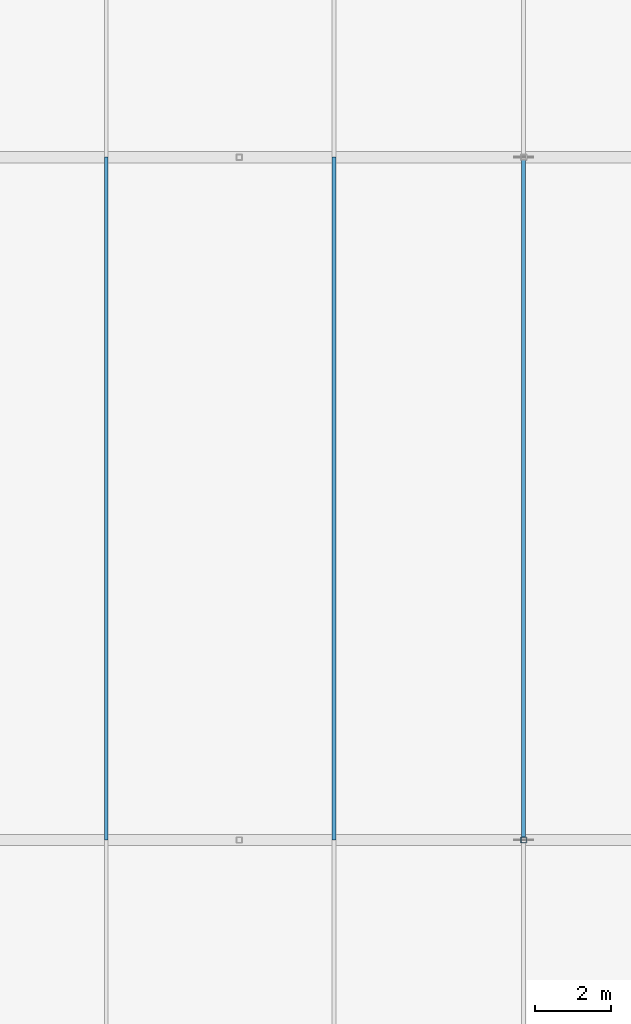
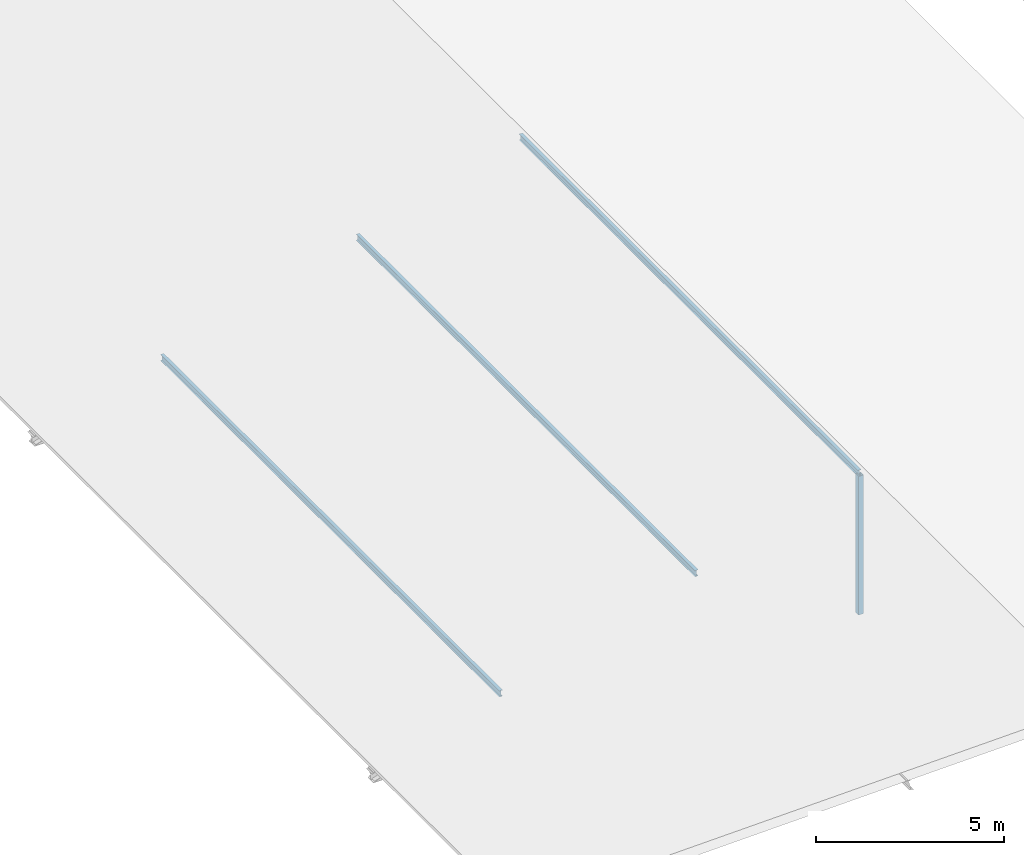
# One storey, part 59 of 204: 4 members.
"""IFC4 building model written with IfcOpenShell, lengths in metres."""

from ifc_helpers import new_model, si_unit, direction, frame, origin, origin_2d, place, context, subcontext, project, spatial, hollow_rectangle, i_section, extrude, material, material_profile, profile_set, type_object, element, save


model = new_model("IFC4")

# Units and contexts
model_context = context("Model", 3, precision=1e-05, world=origin(), true_north=direction((0.0, 1.0)))
body_context = subcontext(model_context, "Body", "Model", "MODEL_VIEW")
ifc_project = project(units=[si_unit("LENGTHUNIT", "METRE"), si_unit("AREAUNIT", "SQUARE_METRE"), si_unit("VOLUMEUNIT", "CUBIC_METRE"), si_unit("PLANEANGLEUNIT", "RADIAN"), si_unit("MASSUNIT", "GRAM", prefix="KILO")], contexts=[model_context])

# Site, building, storey
site_placement = place(None, origin())
site = spatial("IfcSite", under=ifc_project, at=site_placement, CompositionType="ELEMENT")
building_placement = place(site_placement, origin())
building = spatial("IfcBuilding", under=site, at=building_placement, Name="Zilviju Railside Exhibition Hall", CompositionType="ELEMENT")
storey_placement = place(building_placement, frame((0.0, 0.0, 21.0)))
storey = spatial("IfcBuildingStorey", under=building, at=storey_placement, Name="RF", CompositionType="ELEMENT", Elevation=21.0)

# Members
ifc_material = material(Name="Steel S355J2", Category="steel")
ifc_material_profile_1 = material_profile(ifc_material, hollow_rectangle(XDim=0.14990234375, YDim=0.14990234375, WallThickness=0.008056640625, at=origin_2d()), Name="SHS 150x150x8.0")
ifc_profile_set_1 = profile_set([ifc_material_profile_1], Name="Steel S355J2")
member_type_1 = type_object("IfcMemberType", Name="TR-POST-SHS150", PredefinedType="POST", material=ifc_profile_set_1)
member_placement = place(storey_placement, frame((63.0, 84.0, -8.39990234375), z_axis=(0.0, 0.0, 1.0), x_axis=(1.0, 0.0, 0.0)))
element("IfcMember", 1, at=member_placement, inside=storey, type_object=member_type_1, Name="Concourse Saddle King Post Y=84.0", PredefinedType="POST", context=body_context, shape_type="SweptSolid", body=[
    extrude(hollow_rectangle(XDim=0.14990234375, YDim=0.14990234375, WallThickness=0.008056640625, at=origin_2d()), origin(), (0.0, 0.0, 1.0), 4.5),
])
ifc_material_profile_2 = material_profile(ifc_material, i_section(OverallWidth=0.10009765625, OverallDepth=0.199951171875, WebThickness=0.005615234375, FlangeThickness=0.008544921875, at=origin_2d()), Name="IPE 200")
ifc_profile_set_2 = profile_set([ifc_material_profile_2], Name="Steel S355J2")
member_type_2 = type_object("IfcMemberType", Name="TR-PUR-IPE200", PredefinedType="PURLIN", material=ifc_profile_set_2)
for number, where, z_axis, x_axis, name in (
    (2, (52.0, 84.0, -7.159912109375), (0.0, 1.0, 0.0), (-1.0, 0.0, 0.0), "Concourse Lantern Purlin X=52.0"),
    (3, (58.0, 84.0, -5.360107421875), (0.0, 1.0, 0.0), (-1.0, 0.0, 0.0), "Concourse Lantern Purlin X=58.0"),
    (4, (63.0, 84.0, -3.860107421875), (0.0, 1.0, 0.0), (-1.0, 0.0, 0.0), "Concourse Lantern Purlin X=63.0"),
):
    element("IfcMember", number, at=place(storey_placement, frame(where, z_axis=z_axis, x_axis=x_axis)), inside=storey, type_object=member_type_2, Name=name, PredefinedType="PURLIN", context=body_context, shape_type="SweptSolid", body=[
        extrude(i_section(OverallWidth=0.10009765625, OverallDepth=0.199951171875, WebThickness=0.005615234375, FlangeThickness=0.008544921875, at=origin_2d()), origin(), (0.0, 0.0, 1.0), 18.0),
    ])

save(model, "model.ifc")
